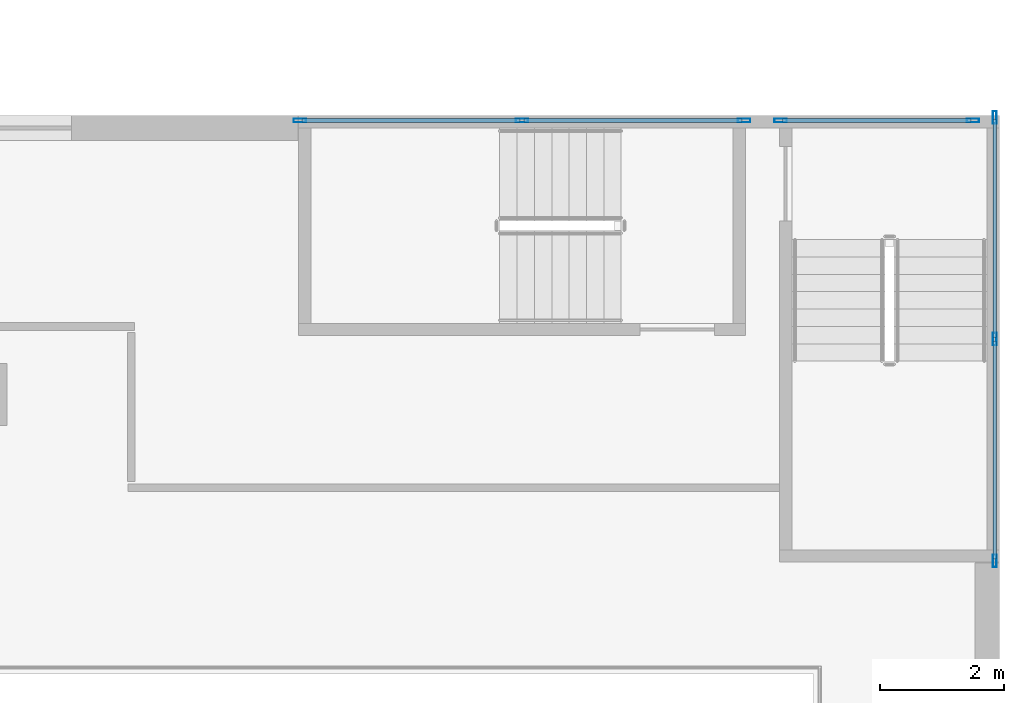
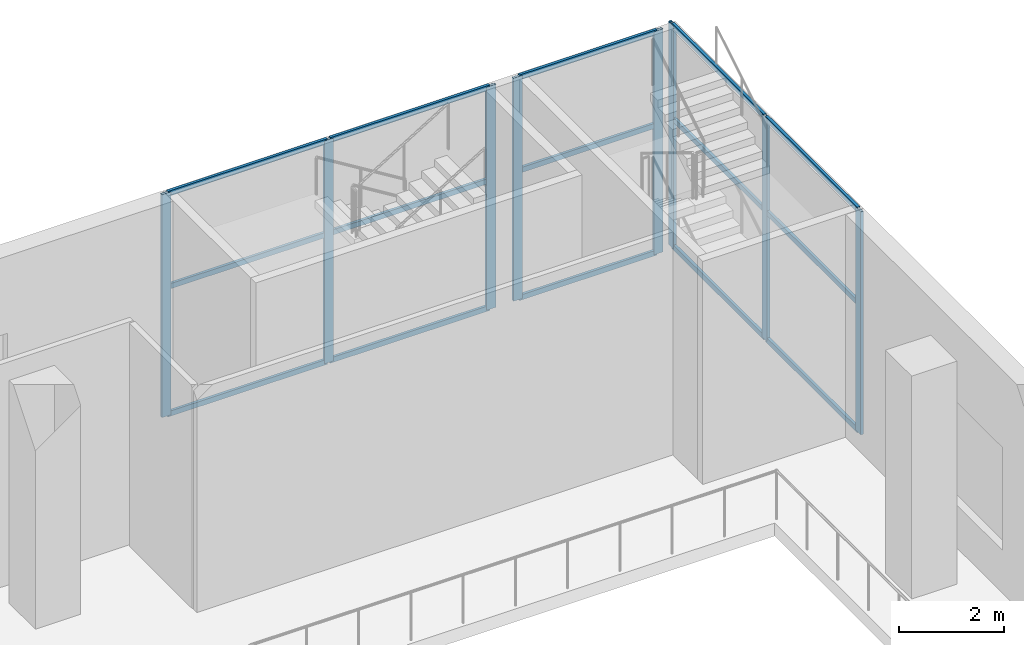
# One storey, part 7 of 23: 23 members, 3 elements without a shape of their own.
"""IFC4 building model written with IfcOpenShell, lengths in metres."""

from ifc_helpers import new_model, si_unit, direction, frame, origin, origin_2d, place, context, subcontext, project, spatial, hollow_rectangle, extrude, source, transform, mapped, material, material_profile, profile_set, type_object, element, aggregate, save


model = new_model("IFC4")

# Units and contexts
model_context = context("Model", 3, precision=1e-05, world=origin(), true_north=direction((0.0, 1.0)))
body_context = subcontext(model_context, "Body", "Model", "MODEL_VIEW")
ifc_project = project(units=[si_unit("LENGTHUNIT", "METRE"), si_unit("AREAUNIT", "SQUARE_METRE"), si_unit("VOLUMEUNIT", "CUBIC_METRE"), si_unit("PLANEANGLEUNIT", "RADIAN"), si_unit("MASSUNIT", "GRAM", prefix="KILO")], contexts=[model_context])

# Site, building, storey
site_placement = place(None, origin())
site = spatial("IfcSite", under=ifc_project, at=site_placement, CompositionType="ELEMENT")
building_placement = place(site_placement, origin())
building = spatial("IfcBuilding", under=site, at=building_placement, Name="Khomas Fold Tower", CompositionType="ELEMENT")
storey_placement = place(building_placement, frame((0.0, 0.0, 13.0)))
storey = spatial("IfcBuildingStorey", under=building, at=storey_placement, Name="L02", CompositionType="ELEMENT", Elevation=13.0)

# Curtain wall, members
ifc_material_1 = material(Name="Aluminium framed double glazing", Category="aluminium")
curtain_wall_type = type_object("IfcCurtainWallType", Name="Shopfront glazing PD-CW", PredefinedType="NOTDEFINED", material=ifc_material_1)
curtain_wall_1_placement = place(storey_placement, origin())
curtain_wall_1 = element("IfcCurtainWall", 1, at=curtain_wall_1_placement, inside=storey, type_object=curtain_wall_type, Name="Podium stair-tower glazing", PredefinedType="NOTDEFINED")
ifc_material_2 = material(Name="Aluminium", Category="aluminium")
ifc_material_profile_1 = material_profile(ifc_material_2, hollow_rectangle(XDim=0.06005859375, YDim=0.199951171875, WallThickness=0.00390625, at=origin_2d()), Name="Shopfront glazing mullion PD-CW-M")
ifc_profile_set_1 = profile_set([ifc_material_profile_1], Name="Aluminium")
member_type_1 = type_object("IfcMemberType", Name="Shopfront glazing mullion PD-CW-M", PredefinedType="MULLION", material=ifc_profile_set_1)
shared_shape_1 = source(origin(), body_context, "Body", "SweptSolid", [
    extrude(hollow_rectangle(XDim=0.06005859375, YDim=0.199951171875, WallThickness=0.00390625, at=origin_2d()), origin(), (0.0, 0.0, 1.0), 5.199951171875),
])
member_1_placement = place(storey_placement, frame((80.919921875, 46.820068359375, 0.0), z_axis=(0.0, 0.0, 1.0), x_axis=(-1.0, 0.0, 0.0)))
member_1 = element("IfcMember", 2, at=member_1_placement, type_object=member_type_1, Name="PD-CW mullion 1", PredefinedType="MULLION", context=body_context, shape_type="MappedRepresentation", body=[
    mapped(shared_shape_1, transform((0.0, 0.0, 0.0))),
])
member_2_placement = place(storey_placement, frame((80.919921875, 50.39501953125, 0.0), z_axis=(0.0, 0.0, 1.0), x_axis=(-1.0, 0.0, 0.0)))
member_2 = element("IfcMember", 3, at=member_2_placement, type_object=member_type_1, Name="PD-CW mullion 2", PredefinedType="MULLION", context=body_context, shape_type="MappedRepresentation", body=[
    mapped(shared_shape_1, transform((0.0, 0.0, 0.0))),
])
member_3_placement = place(storey_placement, frame((80.919921875, 53.969970703125, 0.0), z_axis=(0.0, 0.0, 1.0), x_axis=(-1.0, 0.0, 0.0)))
member_3 = element("IfcMember", 4, at=member_3_placement, type_object=member_type_1, Name="PD-CW mullion 3", PredefinedType="MULLION", context=body_context, shape_type="MappedRepresentation", body=[
    mapped(shared_shape_1, transform((0.0, 0.0, 0.0))),
])

curtain_wall_2_placement = place(storey_placement, origin())
curtain_wall_2 = element("IfcCurtainWall", 5, at=curtain_wall_2_placement, inside=storey, type_object=curtain_wall_type, Name="Podium stair-tower glazing", PredefinedType="NOTDEFINED")
member_4_placement = place(storey_placement, frame((80.570068359375, 53.919921875, 0.0), z_axis=(0.0, 0.0, 1.0), x_axis=(0.0, -1.0, 0.0)))
member_4 = element("IfcMember", 6, at=member_4_placement, type_object=member_type_1, Name="PD-CW mullion 1", PredefinedType="MULLION", context=body_context, shape_type="MappedRepresentation", body=[
    mapped(shared_shape_1, transform((0.0, 0.0, 0.0))),
])
member_5_placement = place(storey_placement, frame((77.469970703125, 53.919921875, 0.0), z_axis=(0.0, 0.0, 1.0), x_axis=(0.0, -1.0, 0.0)))
member_5 = element("IfcMember", 7, at=member_5_placement, type_object=member_type_1, Name="PD-CW mullion 2", PredefinedType="MULLION", context=body_context, shape_type="MappedRepresentation", body=[
    mapped(shared_shape_1, transform((0.0, 0.0, 0.0))),
])

curtain_wall_3_placement = place(storey_placement, origin())
curtain_wall_3 = element("IfcCurtainWall", 8, at=curtain_wall_3_placement, inside=storey, type_object=curtain_wall_type, Name="Podium stair-tower glazing", PredefinedType="NOTDEFINED")
member_6_placement = place(storey_placement, frame((76.8798828125, 53.919921875, 0.0), z_axis=(0.0, 0.0, 1.0), x_axis=(0.0, -1.0, 0.0)))
member_6 = element("IfcMember", 9, at=member_6_placement, type_object=member_type_1, Name="PD-CW mullion 1", PredefinedType="MULLION", context=body_context, shape_type="MappedRepresentation", body=[
    mapped(shared_shape_1, transform((0.0, 0.0, 0.0))),
])
member_7_placement = place(storey_placement, frame((73.300048828125, 53.919921875, 0.0), z_axis=(0.0, 0.0, 1.0), x_axis=(0.0, -1.0, 0.0)))
member_7 = element("IfcMember", 10, at=member_7_placement, type_object=member_type_1, Name="PD-CW mullion 2", PredefinedType="MULLION", context=body_context, shape_type="MappedRepresentation", body=[
    mapped(shared_shape_1, transform((0.0, 0.0, 0.0))),
])
member_8_placement = place(storey_placement, frame((69.719970703125, 53.919921875, 0.0), z_axis=(0.0, 0.0, 1.0), x_axis=(0.0, -1.0, 0.0)))
member_8 = element("IfcMember", 11, at=member_8_placement, type_object=member_type_1, Name="PD-CW mullion 3", PredefinedType="MULLION", context=body_context, shape_type="MappedRepresentation", body=[
    mapped(shared_shape_1, transform((0.0, 0.0, 0.0))),
])

# Member
ifc_material_3 = material(Name="Aluminium", Category="aluminium")
ifc_material_profile_2 = material_profile(ifc_material_3, hollow_rectangle(XDim=0.06005859375, YDim=0.1201171875, WallThickness=0.00390625, at=origin_2d()), Name="Shopfront glazing transom PD-CW-T")
ifc_profile_set_2 = profile_set([ifc_material_profile_2], Name="Aluminium")
member_type_2 = type_object("IfcMemberType", Name="Shopfront glazing transom PD-CW-T", PredefinedType="USERDEFINED", material=ifc_profile_set_2)
shared_shape_2 = source(origin(), body_context, "Body", "SweptSolid", [
    extrude(hollow_rectangle(XDim=0.06005859375, YDim=0.1201171875, WallThickness=0.00390625, at=origin_2d()), origin(), (0.0, 0.0, 1.0), 3.0400390625),
])
member_9_placement = place(storey_placement, frame((80.5400390625, 53.919921875, 0.030029296875), z_axis=(-1.0, 0.0, 0.0), x_axis=(0.0, -1.0, 0.0)))
member_9 = element("IfcMember", 12, at=member_9_placement, type_object=member_type_2, Name="PD-CW transom 1.1", ObjectType="TRANSOM", PredefinedType="USERDEFINED", context=body_context, shape_type="MappedRepresentation", body=[
    mapped(shared_shape_2, transform((0.0, 0.0, 0.0))),
])

member_10_placement = place(storey_placement, frame((80.5400390625, 53.919921875, 3.0), z_axis=(-1.0, 0.0, 0.0), x_axis=(0.0, -1.0, 0.0)))
member_10 = element("IfcMember", 13, at=member_10_placement, type_object=member_type_2, Name="PD-CW transom 1.2", ObjectType="TRANSOM", PredefinedType="USERDEFINED", context=body_context, shape_type="MappedRepresentation", body=[
    mapped(shared_shape_2, transform((0.0, 0.0, 0.0))),
])

member_11_placement = place(storey_placement, frame((80.5400390625, 53.919921875, 5.169921875), z_axis=(-1.0, 0.0, 0.0), x_axis=(0.0, -1.0, 0.0)))
member_11 = element("IfcMember", 14, at=member_11_placement, type_object=member_type_2, Name="PD-CW transom 1.3", ObjectType="TRANSOM", PredefinedType="USERDEFINED", context=body_context, shape_type="MappedRepresentation", body=[
    mapped(shared_shape_2, transform((0.0, 0.0, 0.0))),
])

aggregate(curtain_wall_2, [member_4, member_5, member_9, member_10, member_11])

shared_shape_3 = source(origin(), body_context, "Body", "SweptSolid", [
    extrude(hollow_rectangle(XDim=0.06005859375, YDim=0.1201171875, WallThickness=0.00390625, at=origin_2d()), origin(), (0.0, 0.0, 1.0), 3.52001953125),
])
member_12_placement = place(storey_placement, frame((76.85009765625, 53.919921875, 0.030029296875), z_axis=(-1.0, 0.0, 0.0), x_axis=(0.0, -1.0, 0.0)))
member_12 = element("IfcMember", 15, at=member_12_placement, type_object=member_type_2, Name="PD-CW transom 1.1", ObjectType="TRANSOM", PredefinedType="USERDEFINED", context=body_context, shape_type="MappedRepresentation", body=[
    mapped(shared_shape_3, transform((0.0, 0.0, 0.0))),
])

member_13_placement = place(storey_placement, frame((76.85009765625, 53.919921875, 3.0), z_axis=(-1.0, 0.0, 0.0), x_axis=(0.0, -1.0, 0.0)))
member_13 = element("IfcMember", 16, at=member_13_placement, type_object=member_type_2, Name="PD-CW transom 1.2", ObjectType="TRANSOM", PredefinedType="USERDEFINED", context=body_context, shape_type="MappedRepresentation", body=[
    mapped(shared_shape_3, transform((0.0, 0.0, 0.0))),
])

member_14_placement = place(storey_placement, frame((76.85009765625, 53.919921875, 5.169921875), z_axis=(-1.0, 0.0, 0.0), x_axis=(0.0, -1.0, 0.0)))
member_14 = element("IfcMember", 17, at=member_14_placement, type_object=member_type_2, Name="PD-CW transom 1.3", ObjectType="TRANSOM", PredefinedType="USERDEFINED", context=body_context, shape_type="MappedRepresentation", body=[
    mapped(shared_shape_3, transform((0.0, 0.0, 0.0))),
])

member_15_placement = place(storey_placement, frame((73.27001953125, 53.919921875, 0.030029296875), z_axis=(-1.0, 0.0, 0.0), x_axis=(0.0, -1.0, 0.0)))
member_15 = element("IfcMember", 18, at=member_15_placement, type_object=member_type_2, Name="PD-CW transom 2.1", ObjectType="TRANSOM", PredefinedType="USERDEFINED", context=body_context, shape_type="MappedRepresentation", body=[
    mapped(shared_shape_3, transform((0.0, 0.0, 0.0))),
])

member_16_placement = place(storey_placement, frame((73.27001953125, 53.919921875, 3.0), z_axis=(-1.0, 0.0, 0.0), x_axis=(0.0, -1.0, 0.0)))
member_16 = element("IfcMember", 19, at=member_16_placement, type_object=member_type_2, Name="PD-CW transom 2.2", ObjectType="TRANSOM", PredefinedType="USERDEFINED", context=body_context, shape_type="MappedRepresentation", body=[
    mapped(shared_shape_3, transform((0.0, 0.0, 0.0))),
])

member_17_placement = place(storey_placement, frame((73.27001953125, 53.919921875, 5.169921875), z_axis=(-1.0, 0.0, 0.0), x_axis=(0.0, -1.0, 0.0)))
member_17 = element("IfcMember", 20, at=member_17_placement, type_object=member_type_2, Name="PD-CW transom 2.3", ObjectType="TRANSOM", PredefinedType="USERDEFINED", context=body_context, shape_type="MappedRepresentation", body=[
    mapped(shared_shape_3, transform((0.0, 0.0, 0.0))),
])

aggregate(curtain_wall_3, [member_6, member_7, member_8, member_12, member_13, member_14, member_15, member_16, member_17])

shared_shape_4 = source(origin(), body_context, "Body", "SweptSolid", [
    extrude(hollow_rectangle(XDim=0.06005859375, YDim=0.1201171875, WallThickness=0.00390625, at=origin_2d()), origin(), (0.0, 0.0, 1.0), 3.514892578125),
])
member_18_placement = place(storey_placement, frame((80.919921875, 46.85009765625, 0.030029296875), z_axis=(0.0, 1.0, 0.0), x_axis=(-1.0, 0.0, 0.0)))
member_18 = element("IfcMember", 21, at=member_18_placement, type_object=member_type_2, Name="PD-CW transom 1.1", ObjectType="TRANSOM", PredefinedType="USERDEFINED", context=body_context, shape_type="MappedRepresentation", body=[
    mapped(shared_shape_4, transform((0.0, 0.0, 0.0))),
])

member_19_placement = place(storey_placement, frame((80.919921875, 46.85009765625, 3.0), z_axis=(0.0, 1.0, 0.0), x_axis=(-1.0, 0.0, 0.0)))
member_19 = element("IfcMember", 22, at=member_19_placement, type_object=member_type_2, Name="PD-CW transom 1.2", ObjectType="TRANSOM", PredefinedType="USERDEFINED", context=body_context, shape_type="MappedRepresentation", body=[
    mapped(shared_shape_4, transform((0.0, 0.0, 0.0))),
])

member_20_placement = place(storey_placement, frame((80.919921875, 46.85009765625, 5.169921875), z_axis=(0.0, 1.0, 0.0), x_axis=(-1.0, 0.0, 0.0)))
member_20 = element("IfcMember", 23, at=member_20_placement, type_object=member_type_2, Name="PD-CW transom 1.3", ObjectType="TRANSOM", PredefinedType="USERDEFINED", context=body_context, shape_type="MappedRepresentation", body=[
    mapped(shared_shape_4, transform((0.0, 0.0, 0.0))),
])

member_21_placement = place(storey_placement, frame((80.919921875, 50.425048828125, 0.030029296875), z_axis=(0.0, 1.0, 0.0), x_axis=(-1.0, 0.0, 0.0)))
member_21 = element("IfcMember", 24, at=member_21_placement, type_object=member_type_2, Name="PD-CW transom 2.1", ObjectType="TRANSOM", PredefinedType="USERDEFINED", context=body_context, shape_type="MappedRepresentation", body=[
    mapped(shared_shape_4, transform((0.0, 0.0, 0.0))),
])

member_22_placement = place(storey_placement, frame((80.919921875, 50.425048828125, 3.0), z_axis=(0.0, 1.0, 0.0), x_axis=(-1.0, 0.0, 0.0)))
member_22 = element("IfcMember", 25, at=member_22_placement, type_object=member_type_2, Name="PD-CW transom 2.2", ObjectType="TRANSOM", PredefinedType="USERDEFINED", context=body_context, shape_type="MappedRepresentation", body=[
    mapped(shared_shape_4, transform((0.0, 0.0, 0.0))),
])

member_23_placement = place(storey_placement, frame((80.919921875, 50.425048828125, 5.169921875), z_axis=(0.0, 1.0, 0.0), x_axis=(-1.0, 0.0, 0.0)))
member_23 = element("IfcMember", 26, at=member_23_placement, type_object=member_type_2, Name="PD-CW transom 2.3", ObjectType="TRANSOM", PredefinedType="USERDEFINED", context=body_context, shape_type="MappedRepresentation", body=[
    mapped(shared_shape_4, transform((0.0, 0.0, 0.0))),
])

aggregate(curtain_wall_1, [member_1, member_2, member_3, member_18, member_19, member_20, member_21, member_22, member_23])

save(model, "model.ifc")
